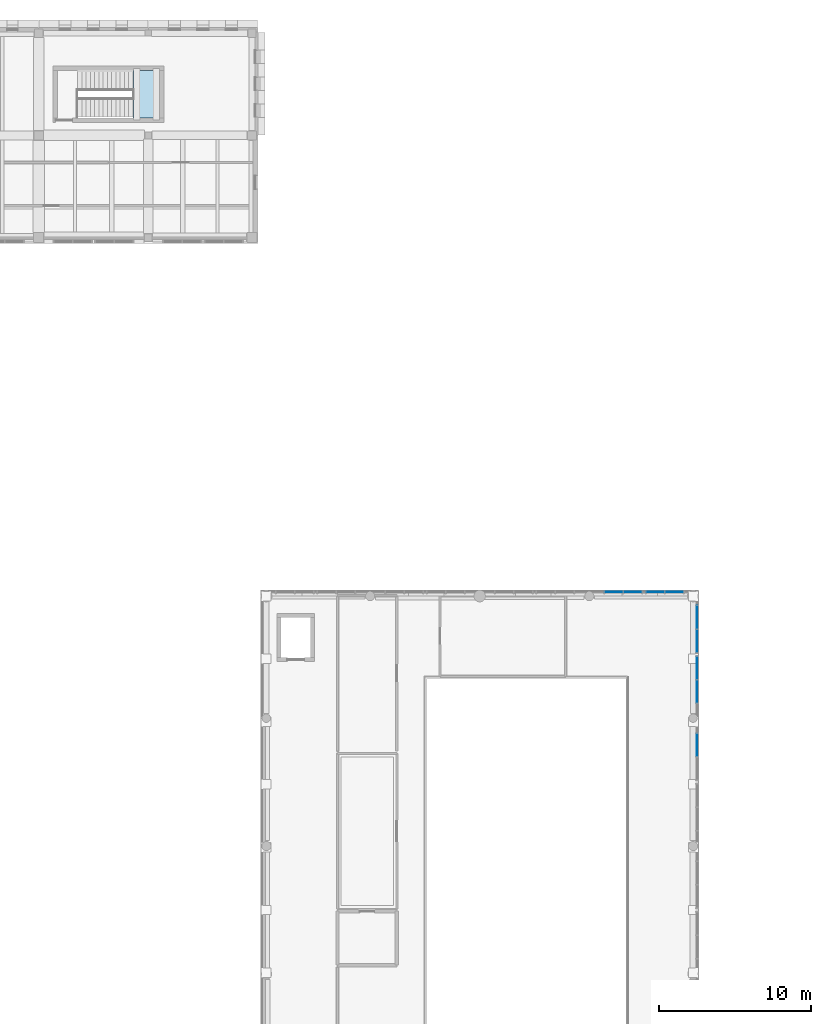
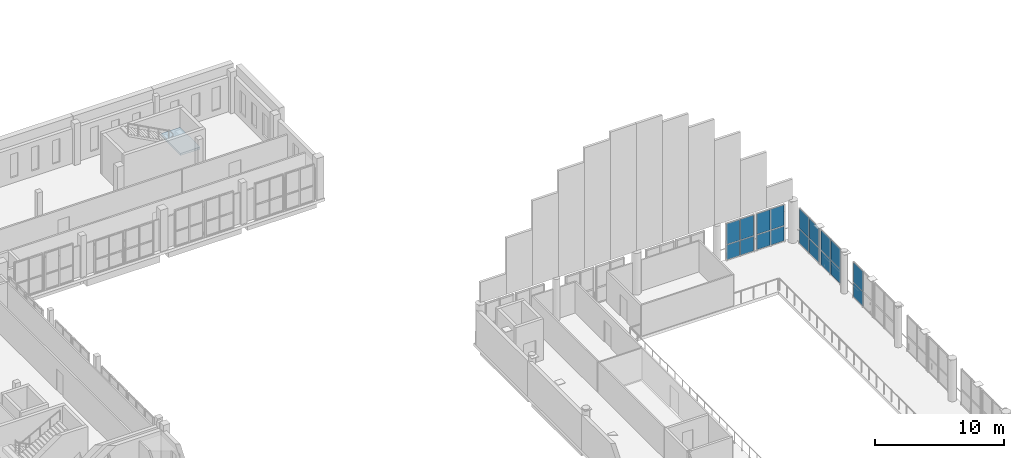
# One storey, part 43 of 76: 18 plates, 1 slab, 6 elements without a shape of their own.
"""IFC4 building model written with IfcOpenShell, lengths in metres."""

from ifc_helpers import new_model, si_unit, direction, frame, origin, origin_2d, place, context, subcontext, project, spatial, polyline, rectangle, outline, extrude, material, layer, layer_set, type_object, element, aggregate, save


model = new_model("IFC4")

# Units and contexts
model_context = context("Model", 3, precision=1e-05, world=origin(), true_north=direction((0.0, 1.0)))
body_context = subcontext(model_context, "Body", "Model", "MODEL_VIEW")
ifc_project = project(units=[si_unit("LENGTHUNIT", "METRE"), si_unit("AREAUNIT", "SQUARE_METRE"), si_unit("VOLUMEUNIT", "CUBIC_METRE"), si_unit("PLANEANGLEUNIT", "RADIAN"), si_unit("MASSUNIT", "GRAM", prefix="KILO")], contexts=[model_context])

# Site, building, storey
site_placement = place(None, origin())
site = spatial("IfcSite", under=ifc_project, at=site_placement, CompositionType="ELEMENT")
building_placement = place(site_placement, origin())
building = spatial("IfcBuilding", under=site, at=building_placement, Name="Vardoun Plaza Health Centre", CompositionType="ELEMENT")
storey_placement = place(building_placement, frame((0.0, 0.0, 4.5)))
storey = spatial("IfcBuildingStorey", under=building, at=storey_placement, Name="L01", CompositionType="ELEMENT", Elevation=4.5)

# Curtain wall, plates
ifc_material_1 = material(Name="Aluminium Alloy EN AW-6063-T6 and Low-E Glass", Category="aluminium")
ifc_layer_1 = layer(ifc_material_1, 0.179931640625)
ifc_layer_set_1 = layer_set([ifc_layer_1], Name="Aluminium Alloy EN AW-6063-T6 and Low-E Glass")
curtain_wall_type = type_object("IfcCurtainWallType", Name="CW-01", PredefinedType="USERDEFINED", material=ifc_layer_set_1)
curtain_wall_1_placement = place(storey_placement, origin())
curtain_wall_1 = element("IfcCurtainWall", 1, at=curtain_wall_1_placement, inside=storey, type_object=curtain_wall_type, Name="Curtain Wall CW-V1-021", ObjectType="CONCOURSE_CURTAIN_WALL", PredefinedType="USERDEFINED")
ifc_material_2 = material(Name="Acoustic Laminated Double Low-E Glazing", Category="glass")
ifc_layer_2 = layer(ifc_material_2, 0.031982421875)
ifc_layer_set_2 = layer_set([ifc_layer_2], Name="Acoustic Laminated Double Low-E Glazing")
plate_type = type_object("IfcPlateType", Name="CW-P2", PredefinedType="CURTAIN_PANEL", material=ifc_layer_set_2)
plate_1_placement = place(storey_placement, frame((71.09619140625, 78.179931640625, 0.06494140625), z_axis=(0.0, 0.0, 1.0), x_axis=(1.0, 0.0, 0.0)))
plate_1 = element("IfcPlate", 2, at=plate_1_placement, type_object=plate_type, Name="CW-V1-021 panel 1.1", PredefinedType="CURTAIN_PANEL", context=body_context, shape_type="SweptSolid", body=[
    extrude(rectangle(XDim=1.1826171875, YDim=0.031982421875, at=origin_2d()), origin(), (0.0, 0.0, 1.0), 1.38720703125),
])
plate_2_placement = place(storey_placement, frame((71.09619140625, 78.179931640625, 1.51708984375), z_axis=(0.0, 0.0, 1.0), x_axis=(1.0, 0.0, 0.0)))
plate_2 = element("IfcPlate", 3, at=plate_2_placement, type_object=plate_type, Name="CW-V1-021 panel 1.2", PredefinedType="CURTAIN_PANEL", context=body_context, shape_type="SweptSolid", body=[
    extrude(rectangle(XDim=1.1826171875, YDim=0.031982421875, at=origin_2d()), origin(), (0.0, 0.0, 1.0), 1.952880859375),
])
plate_3_placement = place(storey_placement, frame((72.34375, 78.179931640625, 0.06494140625), z_axis=(0.0, 0.0, 1.0), x_axis=(1.0, 0.0, 0.0)))
plate_3 = element("IfcPlate", 4, at=plate_3_placement, type_object=plate_type, Name="CW-V1-021 panel 2.1", PredefinedType="CURTAIN_PANEL", context=body_context, shape_type="SweptSolid", body=[
    extrude(rectangle(XDim=1.1826171875, YDim=0.031982421875, at=origin_2d()), origin(), (0.0, 0.0, 1.0), 1.38720703125),
])
plate_4_placement = place(storey_placement, frame((72.34375, 78.179931640625, 1.51708984375), z_axis=(0.0, 0.0, 1.0), x_axis=(1.0, 0.0, 0.0)))
plate_4 = element("IfcPlate", 5, at=plate_4_placement, type_object=plate_type, Name="CW-V1-021 panel 2.2", PredefinedType="CURTAIN_PANEL", context=body_context, shape_type="SweptSolid", body=[
    extrude(rectangle(XDim=1.1826171875, YDim=0.031982421875, at=origin_2d()), origin(), (0.0, 0.0, 1.0), 1.952880859375),
])
aggregate(curtain_wall_1, [plate_1, plate_2, plate_3, plate_4])

curtain_wall_2_placement = place(storey_placement, origin())
curtain_wall_2 = element("IfcCurtainWall", 6, at=curtain_wall_2_placement, inside=storey, type_object=curtain_wall_type, Name="Curtain Wall CW-V1-022", ObjectType="CONCOURSE_CURTAIN_WALL", PredefinedType="USERDEFINED")
plate_5_placement = place(storey_placement, frame((73.816162109375, 78.179931640625, 0.06494140625), z_axis=(0.0, 0.0, 1.0), x_axis=(1.0, 0.0, 0.0)))
plate_5 = element("IfcPlate", 7, at=plate_5_placement, type_object=plate_type, Name="CW-V1-022 panel 1.1", PredefinedType="CURTAIN_PANEL", context=body_context, shape_type="SweptSolid", body=[
    extrude(rectangle(XDim=1.1826171875, YDim=0.031982421875, at=origin_2d()), origin(), (0.0, 0.0, 1.0), 1.38720703125),
])
plate_6_placement = place(storey_placement, frame((73.816162109375, 78.179931640625, 1.51708984375), z_axis=(0.0, 0.0, 1.0), x_axis=(1.0, 0.0, 0.0)))
plate_6 = element("IfcPlate", 8, at=plate_6_placement, type_object=plate_type, Name="CW-V1-022 panel 1.2", PredefinedType="CURTAIN_PANEL", context=body_context, shape_type="SweptSolid", body=[
    extrude(rectangle(XDim=1.1826171875, YDim=0.031982421875, at=origin_2d()), origin(), (0.0, 0.0, 1.0), 1.952880859375),
])
plate_7_placement = place(storey_placement, frame((75.063720703125, 78.179931640625, 0.06494140625), z_axis=(0.0, 0.0, 1.0), x_axis=(1.0, 0.0, 0.0)))
plate_7 = element("IfcPlate", 9, at=plate_7_placement, type_object=plate_type, Name="CW-V1-022 panel 2.1", PredefinedType="CURTAIN_PANEL", context=body_context, shape_type="SweptSolid", body=[
    extrude(rectangle(XDim=1.1826171875, YDim=0.031982421875, at=origin_2d()), origin(), (0.0, 0.0, 1.0), 1.38720703125),
])
plate_8_placement = place(storey_placement, frame((75.063720703125, 78.179931640625, 1.51708984375), z_axis=(0.0, 0.0, 1.0), x_axis=(1.0, 0.0, 0.0)))
plate_8 = element("IfcPlate", 10, at=plate_8_placement, type_object=plate_type, Name="CW-V1-022 panel 2.2", PredefinedType="CURTAIN_PANEL", context=body_context, shape_type="SweptSolid", body=[
    extrude(rectangle(XDim=1.1826171875, YDim=0.031982421875, at=origin_2d()), origin(), (0.0, 0.0, 1.0), 1.952880859375),
])
aggregate(curtain_wall_2, [plate_5, plate_6, plate_7, plate_8])

curtain_wall_3_placement = place(storey_placement, origin())
curtain_wall_3 = element("IfcCurtainWall", 11, at=curtain_wall_3_placement, inside=storey, type_object=curtain_wall_type, Name="Curtain Wall CW-V1-023", ObjectType="CONCOURSE_CURTAIN_WALL", PredefinedType="USERDEFINED")
plate_9_placement = place(storey_placement, frame((76.56005859375, 76.53369140625, 0.06494140625), z_axis=(0.0, 0.0, 1.0), x_axis=(0.0, -1.0, 0.0)))
plate_9 = element("IfcPlate", 12, at=plate_9_placement, type_object=plate_type, Name="CW-V1-023 panel 1.1", PredefinedType="CURTAIN_PANEL", context=body_context, shape_type="SweptSolid", body=[
    extrude(rectangle(XDim=1.482421875, YDim=0.031982421875, at=origin_2d()), origin(), (0.0, 0.0, 1.0), 1.334716796875),
])
plate_10_placement = place(storey_placement, frame((76.56005859375, 76.53369140625, 1.464599609375), z_axis=(0.0, 0.0, 1.0), x_axis=(0.0, -1.0, 0.0)))
plate_10 = element("IfcPlate", 13, at=plate_10_placement, type_object=plate_type, Name="CW-V1-023 panel 1.2", PredefinedType="CURTAIN_PANEL", context=body_context, shape_type="SweptSolid", body=[
    extrude(rectangle(XDim=1.482421875, YDim=0.031982421875, at=origin_2d()), origin(), (0.0, 0.0, 1.0), 1.88037109375),
])
plate_11_placement = place(storey_placement, frame((76.56005859375, 74.986328125, 0.06494140625), z_axis=(0.0, 0.0, 1.0), x_axis=(0.0, -1.0, 0.0)))
plate_11 = element("IfcPlate", 14, at=plate_11_placement, type_object=plate_type, Name="CW-V1-023 panel 2.1", PredefinedType="CURTAIN_PANEL", context=body_context, shape_type="SweptSolid", body=[
    extrude(rectangle(XDim=1.482421875, YDim=0.031982421875, at=origin_2d()), origin(), (0.0, 0.0, 1.0), 1.334716796875),
])
plate_12_placement = place(storey_placement, frame((76.56005859375, 74.986328125, 1.464599609375), z_axis=(0.0, 0.0, 1.0), x_axis=(0.0, -1.0, 0.0)))
plate_12 = element("IfcPlate", 15, at=plate_12_placement, type_object=plate_type, Name="CW-V1-023 panel 2.2", PredefinedType="CURTAIN_PANEL", context=body_context, shape_type="SweptSolid", body=[
    extrude(rectangle(XDim=1.482421875, YDim=0.031982421875, at=origin_2d()), origin(), (0.0, 0.0, 1.0), 1.88037109375),
])
aggregate(curtain_wall_3, [plate_9, plate_10, plate_11, plate_12])

curtain_wall_4_placement = place(storey_placement, origin())
curtain_wall_4 = element("IfcCurtainWall", 16, at=curtain_wall_4_placement, inside=storey, type_object=curtain_wall_type, Name="Curtain Wall CW-V1-024", ObjectType="CONCOURSE_CURTAIN_WALL", PredefinedType="USERDEFINED")
plate_13_placement = place(storey_placement, frame((76.56005859375, 73.2138671875, 0.06494140625), z_axis=(0.0, 0.0, 1.0), x_axis=(0.0, -1.0, 0.0)))
plate_13 = element("IfcPlate", 17, at=plate_13_placement, type_object=plate_type, Name="CW-V1-024 panel 1.1", PredefinedType="CURTAIN_PANEL", context=body_context, shape_type="SweptSolid", body=[
    extrude(rectangle(XDim=1.482421875, YDim=0.031982421875, at=origin_2d()), origin(), (0.0, 0.0, 1.0), 1.334716796875),
])
plate_14_placement = place(storey_placement, frame((76.56005859375, 73.2138671875, 1.464599609375), z_axis=(0.0, 0.0, 1.0), x_axis=(0.0, -1.0, 0.0)))
plate_14 = element("IfcPlate", 18, at=plate_14_placement, type_object=plate_type, Name="CW-V1-024 panel 1.2", PredefinedType="CURTAIN_PANEL", context=body_context, shape_type="SweptSolid", body=[
    extrude(rectangle(XDim=1.482421875, YDim=0.031982421875, at=origin_2d()), origin(), (0.0, 0.0, 1.0), 1.88037109375),
])
plate_15_placement = place(storey_placement, frame((76.56005859375, 71.666259765625, 0.06494140625), z_axis=(0.0, 0.0, 1.0), x_axis=(0.0, -1.0, 0.0)))
plate_15 = element("IfcPlate", 19, at=plate_15_placement, type_object=plate_type, Name="CW-V1-024 panel 2.1", PredefinedType="CURTAIN_PANEL", context=body_context, shape_type="SweptSolid", body=[
    extrude(rectangle(XDim=1.482421875, YDim=0.031982421875, at=origin_2d()), origin(), (0.0, 0.0, 1.0), 1.334716796875),
])
plate_16_placement = place(storey_placement, frame((76.56005859375, 71.666259765625, 1.464599609375), z_axis=(0.0, 0.0, 1.0), x_axis=(0.0, -1.0, 0.0)))
plate_16 = element("IfcPlate", 20, at=plate_16_placement, type_object=plate_type, Name="CW-V1-024 panel 2.2", PredefinedType="CURTAIN_PANEL", context=body_context, shape_type="SweptSolid", body=[
    extrude(rectangle(XDim=1.482421875, YDim=0.031982421875, at=origin_2d()), origin(), (0.0, 0.0, 1.0), 1.88037109375),
])
aggregate(curtain_wall_4, [plate_13, plate_14, plate_15, plate_16])

curtain_wall_5_placement = place(storey_placement, origin())
curtain_wall_5 = element("IfcCurtainWall", 21, at=curtain_wall_5_placement, inside=storey, type_object=curtain_wall_type, Name="Curtain Wall CW-V1-025", ObjectType="CONCOURSE_CURTAIN_WALL", PredefinedType="USERDEFINED")
plate_17_placement = place(storey_placement, frame((76.56005859375, 68.1337890625, 0.06494140625), z_axis=(0.0, 0.0, 1.0), x_axis=(0.0, -1.0, 0.0)))
plate_17 = element("IfcPlate", 22, at=plate_17_placement, type_object=plate_type, Name="CW-V1-025 panel 1.1", PredefinedType="CURTAIN_PANEL", context=body_context, shape_type="SweptSolid", body=[
    extrude(rectangle(XDim=1.482421875, YDim=0.031982421875, at=origin_2d()), origin(), (0.0, 0.0, 1.0), 1.334716796875),
])
plate_18_placement = place(storey_placement, frame((76.56005859375, 68.1337890625, 1.464599609375), z_axis=(0.0, 0.0, 1.0), x_axis=(0.0, -1.0, 0.0)))
plate_18 = element("IfcPlate", 23, at=plate_18_placement, type_object=plate_type, Name="CW-V1-025 panel 1.2", PredefinedType="CURTAIN_PANEL", context=body_context, shape_type="SweptSolid", body=[
    extrude(rectangle(XDim=1.482421875, YDim=0.031982421875, at=origin_2d()), origin(), (0.0, 0.0, 1.0), 1.88037109375),
])
aggregate(curtain_wall_5, [plate_17, plate_18])

# Stair, slab
ifc_material_3 = material(Name="Concrete C35/45", Category="concrete")
stair_type = type_object("IfcStairType", Name="ST-01", PredefinedType="HALF_TURN_STAIR", material=ifc_material_3)
stair_placement = place(storey_placement, origin())
stair = element("IfcStair", 24, at=stair_placement, inside=storey, type_object=stair_type, Name="Core C4 L01 Exit Stair ST-C4-L01", PredefinedType="HALF_TURN_STAIR")
ifc_material_4 = material(Name="Concrete C35/45", Category="concrete")
ifc_layer_3 = layer(ifc_material_4, 0.199951171875)
ifc_layer_set_3 = layer_set([ifc_layer_3], Name="Concrete C35/45")
slab_type = type_object("IfcSlabType", Name="SL-LD", PredefinedType="LANDING", material=ifc_layer_set_3)
slab_placement = place(storey_placement, frame((0.0, 0.0, 1.89990234375)))
slab = element("IfcSlab", 25, at=slab_placement, type_object=slab_type, Name="ST-C4-L01 landing 1", PredefinedType="LANDING", context=body_context, shape_type="SweptSolid", body=[
    extrude(outline(polyline([(39.489501953125, 109.35009765625), (41.25, 109.35009765625), (41.25, 112.449951171875), (39.489501953125, 112.449951171875), (39.489501953125, 109.35009765625)])), origin(), (0.0, 0.0, 1.0), 0.2001953125),
])
aggregate(stair, [slab])

save(model, "model.ifc")
